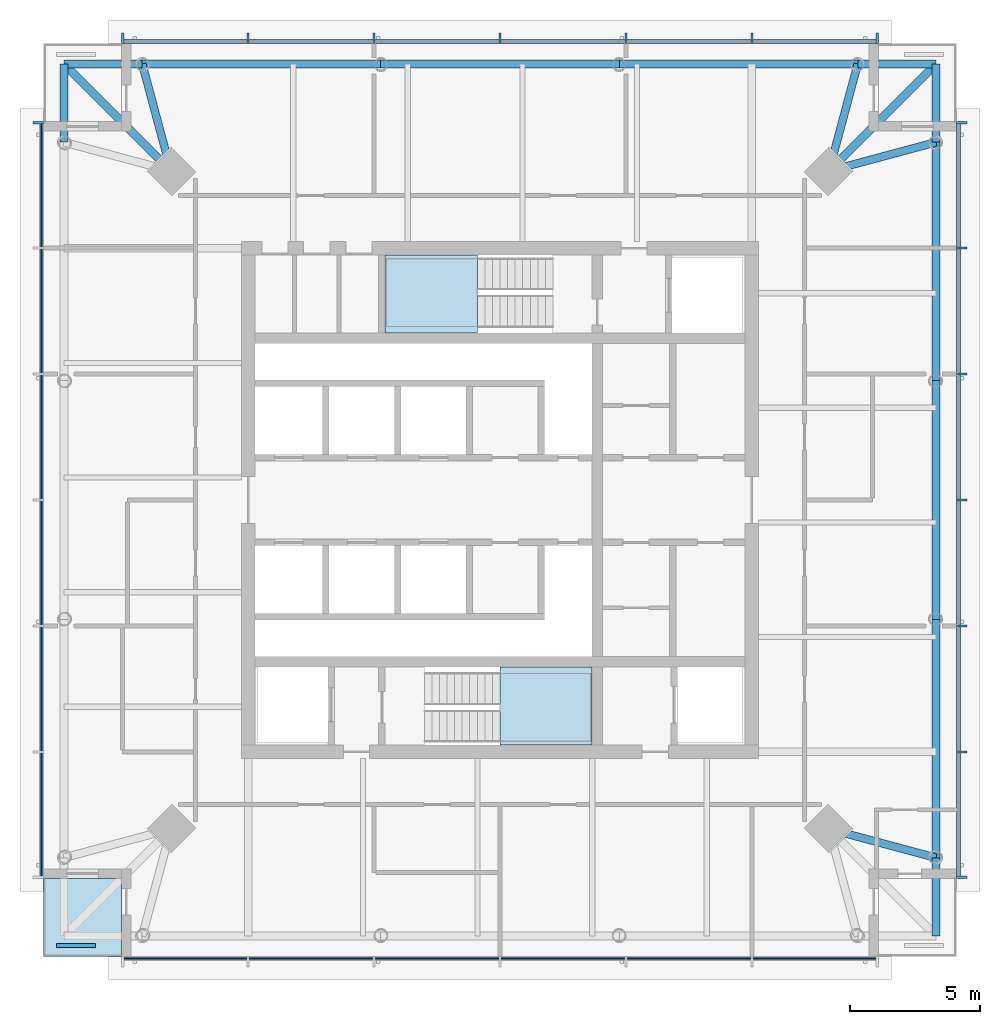
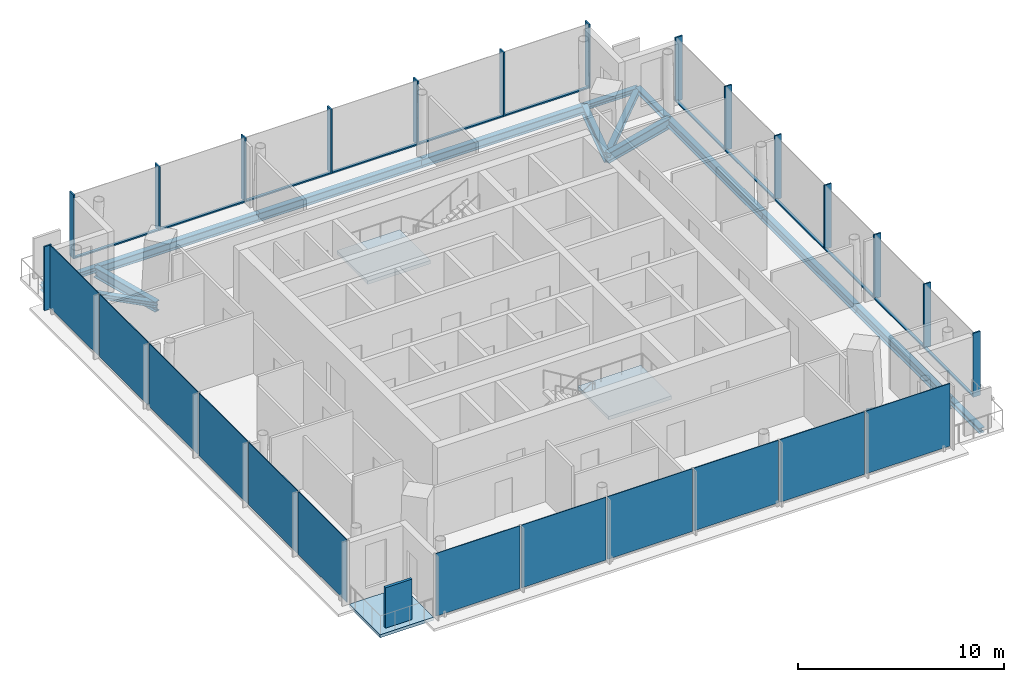
# One storey, part 2 of 11: 27 members, 17 beams, 13 plates, 3 slabs, 6 elements without a shape of their own.
"""IFC4 building model written with IfcOpenShell, lengths in metres."""

from ifc_helpers import new_model, si_unit, direction, frame, origin, origin_2d, place, context, subcontext, project, spatial, polyline, rectangle, i_section, outline, extrude, material, layer, layer_set, material_profile, profile_set, type_object, element, aggregate, save


model = new_model("IFC4")

# Units and contexts
model_context = context("Model", 3, precision=1e-05, world=origin(), true_north=direction((0.0, 1.0)))
body_context = subcontext(model_context, "Body", "Model", "MODEL_VIEW")
ifc_project = project(units=[si_unit("LENGTHUNIT", "METRE"), si_unit("AREAUNIT", "SQUARE_METRE"), si_unit("VOLUMEUNIT", "CUBIC_METRE"), si_unit("PLANEANGLEUNIT", "RADIAN"), si_unit("MASSUNIT", "GRAM", prefix="KILO")], contexts=[model_context])

# Site, building, storey
site_placement = place(None, origin())
site = spatial("IfcSite", under=ifc_project, at=site_placement, CompositionType="ELEMENT")
building_placement = place(site_placement, origin())
building = spatial("IfcBuilding", under=site, at=building_placement, Name="Ostroluk Exchange", CompositionType="ELEMENT")
storey_placement = place(building_placement, frame((0.0, 0.0, 249.0)))
storey = spatial("IfcBuildingStorey", under=building, at=storey_placement, Name="L64", CompositionType="ELEMENT", Elevation=249.0)

# Beams
ifc_material_1 = material(Name="Steel S355", Category="steel")
ifc_material_profile_1 = material_profile(ifc_material_1, i_section(OverallWidth=0.300048828125, OverallDepth=0.300048828125, WebThickness=0.010986328125, FlangeThickness=0.01904296875, FilletRadius=0.027099609375, at=origin_2d()), Name="HEB 300")
ifc_profile_set_1 = profile_set([ifc_material_profile_1], Name="Steel S355")
beam_type_1 = type_object("IfcBeamType", Name="Balcony beam HEB 300", PredefinedType="BEAM", material=ifc_profile_set_1)
for number, where, z_axis, x_axis, name in (
    (1, (61.71435546875, 59.71435546875, -0.330078125), (0.0, 1.0, 0.0), (-1.0, 0.0, 0.0), "T1 east balcony beam a"),
    (2, (58.71435546875, 62.71435546875, -0.330078125), (1.0, 0.0, 0.0), (0.0, 1.0, 0.0), "T1 east balcony beam b"),
):
    element("IfcBeam", number, at=place(storey_placement, frame(where, z_axis=z_axis, x_axis=x_axis)), inside=storey, type_object=beam_type_1, Name=name, PredefinedType="BEAM", context=body_context, shape_type="SweptSolid", body=[
        extrude(i_section(OverallWidth=0.300048828125, OverallDepth=0.300048828125, WebThickness=0.010986328125, FlangeThickness=0.01904296875, FilletRadius=0.027099609375, at=origin_2d()), origin(), (0.0, 0.0, 1.0), 3.0),
    ])
beam_1_placement = place(storey_placement, frame((57.6142578125, 58.6142578125, -0.330078125), z_axis=(0.707106781187, 0.707106781187, 0.0), x_axis=(-0.707106781187, 0.707106781187, 0.0)))
element("IfcBeam", 3, at=beam_1_placement, inside=storey, type_object=beam_type_1, Name="T1 east balcony beam c", PredefinedType="BEAM", context=body_context, shape_type="SweptSolid", body=[
    extrude(i_section(OverallWidth=0.300048828125, OverallDepth=0.300048828125, WebThickness=0.010986328125, FlangeThickness=0.01904296875, FilletRadius=0.027099609375, at=origin_2d()), origin(), (0.0, 0.0, 1.0), 5.79833984375),
])
for number, where, z_axis, x_axis, name in (
    (4, (31.28564453125, 62.71435546875, -0.330078125), (-1.0, 0.0, 0.0), (0.0, -1.0, 0.0), "T1 north balcony beam a"),
    (5, (28.28564453125, 59.71435546875, -0.330078125), (0.0, 1.0, 0.0), (-1.0, 0.0, 0.0), "T1 north balcony beam b"),
):
    element("IfcBeam", number, at=place(storey_placement, frame(where, z_axis=z_axis, x_axis=x_axis)), inside=storey, type_object=beam_type_1, Name=name, PredefinedType="BEAM", context=body_context, shape_type="SweptSolid", body=[
        extrude(i_section(OverallWidth=0.300048828125, OverallDepth=0.300048828125, WebThickness=0.010986328125, FlangeThickness=0.01904296875, FilletRadius=0.027099609375, at=origin_2d()), origin(), (0.0, 0.0, 1.0), 3.0),
    ])
beam_2_placement = place(storey_placement, frame((32.3857421875, 58.6142578125, -0.330078125), z_axis=(-0.707106781187, 0.707106781187, 0.0), x_axis=(-0.707106781187, -0.707106781187, 0.0)))
element("IfcBeam", 6, at=beam_2_placement, inside=storey, type_object=beam_type_1, Name="T1 north balcony beam c", PredefinedType="BEAM", context=body_context, shape_type="SweptSolid", body=[
    extrude(i_section(OverallWidth=0.300048828125, OverallDepth=0.300048828125, WebThickness=0.010986328125, FlangeThickness=0.01904296875, FilletRadius=0.027099609375, at=origin_2d()), origin(), (0.0, 0.0, 1.0), 5.79833984375),
])
beam_3_placement = place(storey_placement, frame((61.71435546875, 32.28564453125, -0.330078125), z_axis=(0.0, -1.0, 0.0), x_axis=(1.0, 0.0, 0.0)))
element("IfcBeam", 7, at=beam_3_placement, inside=storey, type_object=beam_type_1, Name="T1 south balcony beam b", PredefinedType="BEAM", context=body_context, shape_type="SweptSolid", body=[
    extrude(i_section(OverallWidth=0.300048828125, OverallDepth=0.300048828125, WebThickness=0.010986328125, FlangeThickness=0.01904296875, FilletRadius=0.027099609375, at=origin_2d()), origin(), (0.0, 0.0, 1.0), 3.0),
])
ifc_material_2 = material(Name="Steel S355", Category="steel")
ifc_material_profile_2 = material_profile(ifc_material_2, i_section(OverallWidth=0.300048828125, OverallDepth=0.60009765625, WebThickness=0.015380859375, FlangeThickness=0.030029296875, FilletRadius=0.027099609375, at=origin_2d()), Name="HEB 600")
ifc_profile_set_2 = profile_set([ifc_material_profile_2], Name="Steel S355")
beam_type_2 = type_object("IfcBeamType", Name="Corner edge beam HEB 600", PredefinedType="SPANDREL", material=ifc_profile_set_2)
for number, where, z_axis, x_axis, name in (
    (8, (57.6142578125, 58.6142578125, -0.47998046875), (0.965838624319, 0.259144268261, 0.0), (-0.259144268261, 0.965838624319, 0.0), "T1 east corner edge beam a"),
    (9, (57.6142578125, 58.6142578125, -0.47998046875), (0.259144268261, 0.965838624319, 0.0), (-0.965838624319, 0.259144268261, 0.0), "T1 east corner edge beam b"),
    (10, (32.3857421875, 58.6142578125, -0.47998046875), (-0.259144268261, 0.965838624319, 0.0), (-0.965838624319, -0.259144268261, 0.0), "T1 north corner edge beam a"),
    (11, (57.6142578125, 33.3857421875, -0.47998046875), (0.965838624319, -0.259144268261, 0.0), (0.259144268261, 0.965838624319, 0.0), "T1 south corner edge beam b"),
):
    element("IfcBeam", number, at=place(storey_placement, frame(where, z_axis=z_axis, x_axis=x_axis)), inside=storey, type_object=beam_type_2, Name=name, PredefinedType="SPANDREL", context=body_context, shape_type="SweptSolid", body=[
        extrude(i_section(OverallWidth=0.300048828125, OverallDepth=0.60009765625, WebThickness=0.015380859375, FlangeThickness=0.030029296875, FilletRadius=0.027099609375, at=origin_2d()), origin(), (0.0, 0.0, 1.0), 4.2451171875),
    ])
ifc_material_3 = material(Name="Steel S355", Category="steel")
ifc_material_profile_3 = material_profile(ifc_material_3, i_section(OverallWidth=0.300048828125, OverallDepth=0.5, WebThickness=0.014404296875, FlangeThickness=0.028076171875, FilletRadius=0.027099609375, at=origin_2d()), Name="HEB 500")
ifc_profile_set_3 = profile_set([ifc_material_profile_3], Name="Steel S355")
beam_type_3 = type_object("IfcBeamType", Name="Moment-connected edge beam HEB 500", PredefinedType="SPANDREL", material=ifc_profile_set_3)
beam_4_placement = place(storey_placement, frame((61.71435546875, 32.28564453125, -0.429931640625), z_axis=(0.0, 1.0, 0.0), x_axis=(-1.0, 0.0, 0.0)))
element("IfcBeam", 12, at=beam_4_placement, inside=storey, type_object=beam_type_3, Name="T1 east edge beam 1", PredefinedType="SPANDREL", context=body_context, shape_type="SweptSolid", body=[
    extrude(i_section(OverallWidth=0.300048828125, OverallDepth=0.5, WebThickness=0.014404296875, FlangeThickness=0.028076171875, FilletRadius=0.027099609375, at=origin_2d()), origin(), (0.0, 0.0, 1.0), 9.142822265625),
])
beam_5_placement = place(storey_placement, frame((61.71435546875, 41.428466796875, -0.429931640625), z_axis=(0.0, 1.0, 0.0), x_axis=(-1.0, 0.0, 0.0)))
element("IfcBeam", 13, at=beam_5_placement, inside=storey, type_object=beam_type_3, Name="T1 east edge beam 2", PredefinedType="SPANDREL", context=body_context, shape_type="SweptSolid", body=[
    extrude(i_section(OverallWidth=0.300048828125, OverallDepth=0.5, WebThickness=0.014404296875, FlangeThickness=0.028076171875, FilletRadius=0.027099609375, at=origin_2d()), origin(), (0.0, 0.0, 1.0), 9.14306640625),
])
for number, where, z_axis, x_axis, name in (
    (14, (61.71435546875, 50.571533203125, -0.429931640625), (0.0, 1.0, 0.0), (-1.0, 0.0, 0.0), "T1 east edge beam 3"),
    (15, (58.71435546875, 62.71435546875, -0.429931640625), (-1.0, 0.0, 0.0), (0.0, -1.0, 0.0), "T1 north edge beam 1"),
):
    element("IfcBeam", number, at=place(storey_placement, frame(where, z_axis=z_axis, x_axis=x_axis)), inside=storey, type_object=beam_type_3, Name=name, PredefinedType="SPANDREL", context=body_context, shape_type="SweptSolid", body=[
        extrude(i_section(OverallWidth=0.300048828125, OverallDepth=0.5, WebThickness=0.014404296875, FlangeThickness=0.028076171875, FilletRadius=0.027099609375, at=origin_2d()), origin(), (0.0, 0.0, 1.0), 9.142822265625),
    ])
beam_6_placement = place(storey_placement, frame((49.571533203125, 62.71435546875, -0.429931640625), z_axis=(-1.0, 0.0, 0.0), x_axis=(0.0, -1.0, 0.0)))
element("IfcBeam", 16, at=beam_6_placement, inside=storey, type_object=beam_type_3, Name="T1 north edge beam 2", PredefinedType="SPANDREL", context=body_context, shape_type="SweptSolid", body=[
    extrude(i_section(OverallWidth=0.300048828125, OverallDepth=0.5, WebThickness=0.014404296875, FlangeThickness=0.028076171875, FilletRadius=0.027099609375, at=origin_2d()), origin(), (0.0, 0.0, 1.0), 9.14306640625),
])
beam_7_placement = place(storey_placement, frame((40.428466796875, 62.71435546875, -0.429931640625), z_axis=(-1.0, 0.0, 0.0), x_axis=(0.0, -1.0, 0.0)))
element("IfcBeam", 17, at=beam_7_placement, inside=storey, type_object=beam_type_3, Name="T1 north edge beam 3", PredefinedType="SPANDREL", context=body_context, shape_type="SweptSolid", body=[
    extrude(i_section(OverallWidth=0.300048828125, OverallDepth=0.5, WebThickness=0.014404296875, FlangeThickness=0.028076171875, FilletRadius=0.027099609375, at=origin_2d()), origin(), (0.0, 0.0, 1.0), 9.142822265625),
])

# Curtain wall, members
ifc_material_4 = material(Name="Laminated clear glass", Category="glass")
curtain_wall_type = type_object("IfcCurtainWallType", Name="Office tower facade", PredefinedType="USERDEFINED", material=ifc_material_4)
curtain_wall_1_placement = place(storey_placement, origin())
curtain_wall_1 = element("IfcCurtainWall", 18, at=curtain_wall_1_placement, inside=storey, type_object=curtain_wall_type, Name="Office tower east facade L64", ObjectType="UNITISED CURTAIN WALL", PredefinedType="USERDEFINED")
ifc_material_5 = material(Name="Aluminium mullion", Category="aluminium")
ifc_material_profile_4 = material_profile(ifc_material_5, rectangle(XDim=0.14990234375, YDim=0.080078125, at=origin_2d()), Name="Sill transom 80 x 150")
ifc_profile_set_4 = profile_set([ifc_material_profile_4], Name="Aluminium mullion")
member_type_1 = type_object("IfcMemberType", Name="Sill transom 80 x 150", PredefinedType="USERDEFINED", material=ifc_profile_set_4)
member_1_placement = place(storey_placement, frame((62.574951171875, 31.580078125, 0.0400390625), z_axis=(0.0, 1.0, 0.0), x_axis=(-1.0, 0.0, 0.0)))
member_1 = element("IfcMember", 19, at=member_1_placement, type_object=member_type_1, Name="CW-O1 transom 1.1", ObjectType="TRANSOM", PredefinedType="USERDEFINED", context=body_context, shape_type="SweptSolid", body=[
    extrude(rectangle(XDim=0.14990234375, YDim=0.080078125, at=origin_2d()), origin(), (0.0, 0.0, 1.0), 4.713134765625),
])
member_2_placement = place(storey_placement, frame((62.574951171875, 36.373291015625, 0.0400390625), z_axis=(0.0, 1.0, 0.0), x_axis=(-1.0, 0.0, 0.0)))
member_2 = element("IfcMember", 20, at=member_2_placement, type_object=member_type_1, Name="CW-O1 transom 2.1", ObjectType="TRANSOM", PredefinedType="USERDEFINED", context=body_context, shape_type="SweptSolid", body=[
    extrude(rectangle(XDim=0.14990234375, YDim=0.080078125, at=origin_2d()), origin(), (0.0, 0.0, 1.0), 4.75341796875),
])
member_3_placement = place(storey_placement, frame((62.574951171875, 41.206787109375, 0.0400390625), z_axis=(0.0, 1.0, 0.0), x_axis=(-1.0, 0.0, 0.0)))
member_3 = element("IfcMember", 21, at=member_3_placement, type_object=member_type_1, Name="CW-O1 transom 3.1", ObjectType="TRANSOM", PredefinedType="USERDEFINED", context=body_context, shape_type="SweptSolid", body=[
    extrude(rectangle(XDim=0.14990234375, YDim=0.080078125, at=origin_2d()), origin(), (0.0, 0.0, 1.0), 4.753173828125),
])
member_4_placement = place(storey_placement, frame((62.574951171875, 46.0400390625, 0.0400390625), z_axis=(0.0, 1.0, 0.0), x_axis=(-1.0, 0.0, 0.0)))
member_4 = element("IfcMember", 22, at=member_4_placement, type_object=member_type_1, Name="CW-O1 transom 4.1", ObjectType="TRANSOM", PredefinedType="USERDEFINED", context=body_context, shape_type="SweptSolid", body=[
    extrude(rectangle(XDim=0.14990234375, YDim=0.080078125, at=origin_2d()), origin(), (0.0, 0.0, 1.0), 4.753173828125),
])
member_5_placement = place(storey_placement, frame((62.574951171875, 50.873291015625, 0.0400390625), z_axis=(0.0, 1.0, 0.0), x_axis=(-1.0, 0.0, 0.0)))
member_5 = element("IfcMember", 23, at=member_5_placement, type_object=member_type_1, Name="CW-O1 transom 5.1", ObjectType="TRANSOM", PredefinedType="USERDEFINED", context=body_context, shape_type="SweptSolid", body=[
    extrude(rectangle(XDim=0.14990234375, YDim=0.080078125, at=origin_2d()), origin(), (0.0, 0.0, 1.0), 4.75341796875),
])
member_6_placement = place(storey_placement, frame((62.574951171875, 55.706787109375, 0.0400390625), z_axis=(0.0, 1.0, 0.0), x_axis=(-1.0, 0.0, 0.0)))
member_6 = element("IfcMember", 24, at=member_6_placement, type_object=member_type_1, Name="CW-O1 transom 6.1", ObjectType="TRANSOM", PredefinedType="USERDEFINED", context=body_context, shape_type="SweptSolid", body=[
    extrude(rectangle(XDim=0.14990234375, YDim=0.080078125, at=origin_2d()), origin(), (0.0, 0.0, 1.0), 4.713134765625),
])

curtain_wall_2_placement = place(storey_placement, origin())
curtain_wall_2 = element("IfcCurtainWall", 25, at=curtain_wall_2_placement, inside=storey, type_object=curtain_wall_type, Name="Office tower north facade L64", ObjectType="UNITISED CURTAIN WALL", PredefinedType="USERDEFINED")
member_7_placement = place(storey_placement, frame((59.419921875, 63.574951171875, 0.0400390625), z_axis=(-1.0, 0.0, 0.0), x_axis=(0.0, -1.0, 0.0)))
member_7 = element("IfcMember", 26, at=member_7_placement, type_object=member_type_1, Name="CW-O1 transom 1.1", ObjectType="TRANSOM", PredefinedType="USERDEFINED", context=body_context, shape_type="SweptSolid", body=[
    extrude(rectangle(XDim=0.14990234375, YDim=0.080078125, at=origin_2d()), origin(), (0.0, 0.0, 1.0), 4.713134765625),
])
member_8_placement = place(storey_placement, frame((54.626708984375, 63.574951171875, 0.0400390625), z_axis=(-1.0, 0.0, 0.0), x_axis=(0.0, -1.0, 0.0)))
member_8 = element("IfcMember", 27, at=member_8_placement, type_object=member_type_1, Name="CW-O1 transom 2.1", ObjectType="TRANSOM", PredefinedType="USERDEFINED", context=body_context, shape_type="SweptSolid", body=[
    extrude(rectangle(XDim=0.14990234375, YDim=0.080078125, at=origin_2d()), origin(), (0.0, 0.0, 1.0), 4.75341796875),
])
member_9_placement = place(storey_placement, frame((49.793212890625, 63.574951171875, 0.0400390625), z_axis=(-1.0, 0.0, 0.0), x_axis=(0.0, -1.0, 0.0)))
member_9 = element("IfcMember", 28, at=member_9_placement, type_object=member_type_1, Name="CW-O1 transom 3.1", ObjectType="TRANSOM", PredefinedType="USERDEFINED", context=body_context, shape_type="SweptSolid", body=[
    extrude(rectangle(XDim=0.14990234375, YDim=0.080078125, at=origin_2d()), origin(), (0.0, 0.0, 1.0), 4.753173828125),
])
member_10_placement = place(storey_placement, frame((44.9599609375, 63.574951171875, 0.0400390625), z_axis=(-1.0, 0.0, 0.0), x_axis=(0.0, -1.0, 0.0)))
member_10 = element("IfcMember", 29, at=member_10_placement, type_object=member_type_1, Name="CW-O1 transom 4.1", ObjectType="TRANSOM", PredefinedType="USERDEFINED", context=body_context, shape_type="SweptSolid", body=[
    extrude(rectangle(XDim=0.14990234375, YDim=0.080078125, at=origin_2d()), origin(), (0.0, 0.0, 1.0), 4.753173828125),
])
member_11_placement = place(storey_placement, frame((40.126708984375, 63.574951171875, 0.0400390625), z_axis=(-1.0, 0.0, 0.0), x_axis=(0.0, -1.0, 0.0)))
member_11 = element("IfcMember", 30, at=member_11_placement, type_object=member_type_1, Name="CW-O1 transom 5.1", ObjectType="TRANSOM", PredefinedType="USERDEFINED", context=body_context, shape_type="SweptSolid", body=[
    extrude(rectangle(XDim=0.14990234375, YDim=0.080078125, at=origin_2d()), origin(), (0.0, 0.0, 1.0), 4.75341796875),
])
member_12_placement = place(storey_placement, frame((35.293212890625, 63.574951171875, 0.0400390625), z_axis=(-1.0, 0.0, 0.0), x_axis=(0.0, -1.0, 0.0)))
member_12 = element("IfcMember", 31, at=member_12_placement, type_object=member_type_1, Name="CW-O1 transom 6.1", ObjectType="TRANSOM", PredefinedType="USERDEFINED", context=body_context, shape_type="SweptSolid", body=[
    extrude(rectangle(XDim=0.14990234375, YDim=0.080078125, at=origin_2d()), origin(), (0.0, 0.0, 1.0), 4.713134765625),
])

# Member
ifc_material_6 = material(Name="Aluminium mullion with limestone facing", Category="masonry")
ifc_material_profile_5 = material_profile(ifc_material_6, rectangle(XDim=0.39990234375, YDim=0.080078125, at=origin_2d()), Name="Tracery mullion 80 x 400")
ifc_profile_set_5 = profile_set([ifc_material_profile_5], Name="Aluminium mullion with limestone facing")
member_type_2 = type_object("IfcMemberType", Name="Tracery mullion 80 x 400", PredefinedType="MULLION", material=ifc_profile_set_5)
member_13_placement = place(storey_placement, frame((62.699951171875, 31.5400390625, 0.0), z_axis=(0.0, 0.0, 1.0), x_axis=(-1.0, 0.0, 0.0)))
member_13 = element("IfcMember", 32, at=member_13_placement, type_object=member_type_2, Name="CW-O1 mullion 1", PredefinedType="MULLION", context=body_context, shape_type="SweptSolid", body=[
    extrude(rectangle(XDim=0.39990234375, YDim=0.080078125, at=origin_2d()), origin(), (0.0, 0.0, 1.0), 3.800048828125),
])

member_14_placement = place(storey_placement, frame((62.699951171875, 36.333251953125, 0.0), z_axis=(0.0, 0.0, 1.0), x_axis=(-1.0, 0.0, 0.0)))
member_14 = element("IfcMember", 33, at=member_14_placement, type_object=member_type_2, Name="CW-O1 mullion 2", PredefinedType="MULLION", context=body_context, shape_type="SweptSolid", body=[
    extrude(rectangle(XDim=0.39990234375, YDim=0.080078125, at=origin_2d()), origin(), (0.0, 0.0, 1.0), 3.800048828125),
])

member_15_placement = place(storey_placement, frame((62.699951171875, 41.166748046875, 0.0), z_axis=(0.0, 0.0, 1.0), x_axis=(-1.0, 0.0, 0.0)))
member_15 = element("IfcMember", 34, at=member_15_placement, type_object=member_type_2, Name="CW-O1 mullion 3", PredefinedType="MULLION", context=body_context, shape_type="SweptSolid", body=[
    extrude(rectangle(XDim=0.39990234375, YDim=0.080078125, at=origin_2d()), origin(), (0.0, 0.0, 1.0), 3.800048828125),
])

member_16_placement = place(storey_placement, frame((62.699951171875, 46.0, 0.0), z_axis=(0.0, 0.0, 1.0), x_axis=(-1.0, 0.0, 0.0)))
member_16 = element("IfcMember", 35, at=member_16_placement, type_object=member_type_2, Name="CW-O1 mullion 4", PredefinedType="MULLION", context=body_context, shape_type="SweptSolid", body=[
    extrude(rectangle(XDim=0.39990234375, YDim=0.080078125, at=origin_2d()), origin(), (0.0, 0.0, 1.0), 3.800048828125),
])

member_17_placement = place(storey_placement, frame((62.699951171875, 50.833251953125, 0.0), z_axis=(0.0, 0.0, 1.0), x_axis=(-1.0, 0.0, 0.0)))
member_17 = element("IfcMember", 36, at=member_17_placement, type_object=member_type_2, Name="CW-O1 mullion 5", PredefinedType="MULLION", context=body_context, shape_type="SweptSolid", body=[
    extrude(rectangle(XDim=0.39990234375, YDim=0.080078125, at=origin_2d()), origin(), (0.0, 0.0, 1.0), 3.800048828125),
])

member_18_placement = place(storey_placement, frame((62.699951171875, 55.666748046875, 0.0), z_axis=(0.0, 0.0, 1.0), x_axis=(-1.0, 0.0, 0.0)))
member_18 = element("IfcMember", 37, at=member_18_placement, type_object=member_type_2, Name="CW-O1 mullion 6", PredefinedType="MULLION", context=body_context, shape_type="SweptSolid", body=[
    extrude(rectangle(XDim=0.39990234375, YDim=0.080078125, at=origin_2d()), origin(), (0.0, 0.0, 1.0), 3.800048828125),
])

member_19_placement = place(storey_placement, frame((62.699951171875, 60.4599609375, 0.0), z_axis=(0.0, 0.0, 1.0), x_axis=(-1.0, 0.0, 0.0)))
member_19 = element("IfcMember", 38, at=member_19_placement, type_object=member_type_2, Name="CW-O1 mullion 7", PredefinedType="MULLION", context=body_context, shape_type="SweptSolid", body=[
    extrude(rectangle(XDim=0.39990234375, YDim=0.080078125, at=origin_2d()), origin(), (0.0, 0.0, 1.0), 3.800048828125),
])

aggregate(curtain_wall_1, [member_13, member_14, member_15, member_16, member_17, member_18, member_19, member_1, member_2, member_3, member_4, member_5, member_6])

member_20_placement = place(storey_placement, frame((59.4599609375, 63.699951171875, 0.0), z_axis=(0.0, 0.0, 1.0), x_axis=(0.0, -1.0, 0.0)))
member_20 = element("IfcMember", 39, at=member_20_placement, type_object=member_type_2, Name="CW-O1 mullion 1", PredefinedType="MULLION", context=body_context, shape_type="SweptSolid", body=[
    extrude(rectangle(XDim=0.39990234375, YDim=0.080078125, at=origin_2d()), origin(), (0.0, 0.0, 1.0), 3.800048828125),
])

member_21_placement = place(storey_placement, frame((54.666748046875, 63.699951171875, 0.0), z_axis=(0.0, 0.0, 1.0), x_axis=(0.0, -1.0, 0.0)))
member_21 = element("IfcMember", 40, at=member_21_placement, type_object=member_type_2, Name="CW-O1 mullion 2", PredefinedType="MULLION", context=body_context, shape_type="SweptSolid", body=[
    extrude(rectangle(XDim=0.39990234375, YDim=0.080078125, at=origin_2d()), origin(), (0.0, 0.0, 1.0), 3.800048828125),
])

member_22_placement = place(storey_placement, frame((49.833251953125, 63.699951171875, 0.0), z_axis=(0.0, 0.0, 1.0), x_axis=(0.0, -1.0, 0.0)))
member_22 = element("IfcMember", 41, at=member_22_placement, type_object=member_type_2, Name="CW-O1 mullion 3", PredefinedType="MULLION", context=body_context, shape_type="SweptSolid", body=[
    extrude(rectangle(XDim=0.39990234375, YDim=0.080078125, at=origin_2d()), origin(), (0.0, 0.0, 1.0), 3.800048828125),
])

member_23_placement = place(storey_placement, frame((45.0, 63.699951171875, 0.0), z_axis=(0.0, 0.0, 1.0), x_axis=(0.0, -1.0, 0.0)))
member_23 = element("IfcMember", 42, at=member_23_placement, type_object=member_type_2, Name="CW-O1 mullion 4", PredefinedType="MULLION", context=body_context, shape_type="SweptSolid", body=[
    extrude(rectangle(XDim=0.39990234375, YDim=0.080078125, at=origin_2d()), origin(), (0.0, 0.0, 1.0), 3.800048828125),
])

member_24_placement = place(storey_placement, frame((40.166748046875, 63.699951171875, 0.0), z_axis=(0.0, 0.0, 1.0), x_axis=(0.0, -1.0, 0.0)))
member_24 = element("IfcMember", 43, at=member_24_placement, type_object=member_type_2, Name="CW-O1 mullion 5", PredefinedType="MULLION", context=body_context, shape_type="SweptSolid", body=[
    extrude(rectangle(XDim=0.39990234375, YDim=0.080078125, at=origin_2d()), origin(), (0.0, 0.0, 1.0), 3.800048828125),
])

member_25_placement = place(storey_placement, frame((35.333251953125, 63.699951171875, 0.0), z_axis=(0.0, 0.0, 1.0), x_axis=(0.0, -1.0, 0.0)))
member_25 = element("IfcMember", 44, at=member_25_placement, type_object=member_type_2, Name="CW-O1 mullion 6", PredefinedType="MULLION", context=body_context, shape_type="SweptSolid", body=[
    extrude(rectangle(XDim=0.39990234375, YDim=0.080078125, at=origin_2d()), origin(), (0.0, 0.0, 1.0), 3.800048828125),
])

member_26_placement = place(storey_placement, frame((30.5400390625, 63.699951171875, 0.0), z_axis=(0.0, 0.0, 1.0), x_axis=(0.0, -1.0, 0.0)))
member_26 = element("IfcMember", 45, at=member_26_placement, type_object=member_type_2, Name="CW-O1 mullion 7", PredefinedType="MULLION", context=body_context, shape_type="SweptSolid", body=[
    extrude(rectangle(XDim=0.39990234375, YDim=0.080078125, at=origin_2d()), origin(), (0.0, 0.0, 1.0), 3.800048828125),
])

aggregate(curtain_wall_2, [member_20, member_21, member_22, member_23, member_24, member_25, member_26, member_7, member_8, member_9, member_10, member_11, member_12])

# Curtain wall, member
curtain_wall_3_placement = place(storey_placement, origin())
curtain_wall_3 = element("IfcCurtainWall", 46, at=curtain_wall_3_placement, inside=storey, type_object=curtain_wall_type, Name="Office tower west facade L64", ObjectType="UNITISED CURTAIN WALL", PredefinedType="USERDEFINED")
member_27_placement = place(storey_placement, frame((27.300048828125, 60.4599609375, 0.0), z_axis=(0.0, 0.0, 1.0), x_axis=(1.0, 0.0, 0.0)))
member_27 = element("IfcMember", 47, at=member_27_placement, type_object=member_type_2, Name="CW-O1 mullion 1", PredefinedType="MULLION", context=body_context, shape_type="SweptSolid", body=[
    extrude(rectangle(XDim=0.39990234375, YDim=0.080078125, at=origin_2d()), origin(), (0.0, 0.0, 1.0), 3.800048828125),
])

# Slab
ifc_material_7 = material(Name="Concrete C35/45", Category="concrete")
ifc_layer_1 = layer(ifc_material_7, 0.179931640625)
ifc_layer_set_1 = layer_set([ifc_layer_1], Name="Balcony slab 180")
slab_type_1 = type_object("IfcSlabType", Name="Balcony slab 180", PredefinedType="USERDEFINED", material=ifc_layer_set_1)
slab_1_placement = place(storey_placement, frame((0.0, 0.0, -0.179931640625)))
element("IfcSlab", 48, at=slab_1_placement, inside=storey, type_object=slab_type_1, Name="Office tower SW corner balcony L64", ObjectType="BALCONY", PredefinedType="USERDEFINED", context=body_context, shape_type="SweptSolid", body=[
    extrude(outline(polyline([(27.5, 28.5), (30.5, 28.5), (30.5, 31.5), (27.5, 31.5), (27.5, 28.5)])), origin(), (0.0, 0.0, 1.0), 0.179931640625),
])

# Plate
ifc_material_8 = material(Name="Steel S355 trellis with planting", Category="steel")
ifc_layer_2 = layer(ifc_material_8, 0.14990234375)
ifc_layer_set_2 = layer_set([ifc_layer_2], Name="Planted screen 150")
plate_type_1 = type_object("IfcPlateType", Name="Planted screen 150", PredefinedType="USERDEFINED", material=ifc_layer_set_2)
plate_1_placement = place(storey_placement, frame((28.75, 28.925048828125, 0.0), z_axis=(0.0, 0.0, 1.0), x_axis=(1.0, 0.0, 0.0)))
element("IfcPlate", 49, at=plate_1_placement, inside=storey, type_object=plate_type_1, Name="Office tower SW planted screen L64", ObjectType="PLANTED SCREEN", PredefinedType="USERDEFINED", context=body_context, shape_type="SweptSolid", body=[
    extrude(rectangle(XDim=1.5, YDim=0.14990234375, at=origin_2d()), origin(), (0.0, 0.0, 1.0), 2.39990234375),
])

# Stair, slab
ifc_material_9 = material(Name="Concrete C30/37", Category="concrete")
stair_type = type_object("IfcStairType", Name="Exit stair half turn 3800", PredefinedType="HALF_TURN_STAIR", material=ifc_material_9)
stair_1_placement = place(storey_placement, origin())
stair_1 = element("IfcStair", 50, at=stair_1_placement, inside=storey, type_object=stair_type, Name="Stair T1-S1 L64", PredefinedType="HALF_TURN_STAIR")
ifc_material_10 = material(Name="Concrete C30/37", Category="concrete")
ifc_layer_3 = layer(ifc_material_10, 0.199951171875)
ifc_layer_set_3 = layer_set([ifc_layer_3], Name="Stair landing 200")
slab_type_2 = type_object("IfcSlabType", Name="Stair landing 200", PredefinedType="LANDING", material=ifc_layer_set_3)
slab_2_placement = place(storey_placement, frame((0.0, 0.0, 1.699951171875)))
slab_2 = element("IfcSlab", 51, at=slab_2_placement, type_object=slab_type_2, Name="T1-S1 landing 1", PredefinedType="LANDING", context=body_context, shape_type="SweptSolid", body=[
    extrude(outline(polyline([(45.0, 36.60009765625), (45.0, 39.60009765625), (48.530029296875, 39.60009765625), (48.530029296875, 36.60009765625), (45.0, 36.60009765625)])), origin(), (0.0, 0.0, 1.0), 0.199951171875),
])
aggregate(stair_1, [slab_2])

stair_2_placement = place(storey_placement, origin())
stair_2 = element("IfcStair", 52, at=stair_2_placement, inside=storey, type_object=stair_type, Name="Stair T1-S2 L64", PredefinedType="HALF_TURN_STAIR")
slab_3_placement = place(storey_placement, frame((0.0, 0.0, 1.699951171875)))
slab_3 = element("IfcSlab", 53, at=slab_3_placement, type_object=slab_type_2, Name="T1-S2 landing 1", PredefinedType="LANDING", context=body_context, shape_type="SweptSolid", body=[
    extrude(outline(polyline([(44.1298828125, 52.39990234375), (44.1298828125, 55.39990234375), (40.60009765625, 55.39990234375), (40.60009765625, 52.39990234375), (44.1298828125, 52.39990234375)])), origin(), (0.0, 0.0, 1.0), 0.199951171875),
])
aggregate(stair_2, [slab_3])

# Curtain wall, plates
curtain_wall_4_placement = place(storey_placement, origin())
curtain_wall_4 = element("IfcCurtainWall", 54, at=curtain_wall_4_placement, inside=storey, type_object=curtain_wall_type, Name="Office tower south facade L64", ObjectType="UNITISED CURTAIN WALL", PredefinedType="USERDEFINED")
ifc_material_11 = material(Name="Laminated clear glass", Category="glass")
ifc_layer_4 = layer(ifc_material_11, 0.0439453125)
ifc_layer_set_4 = layer_set([ifc_layer_4], Name="Triple laminated clear glazing 44")
plate_type_2 = type_object("IfcPlateType", Name="Triple laminated clear glazing 44", PredefinedType="CURTAIN_PANEL", material=ifc_layer_set_4)
plate_2_placement = place(storey_placement, frame((32.936767578125, 28.425048828125, 0.080078125), z_axis=(0.0, 0.0, 1.0), x_axis=(1.0, 0.0, 0.0)))
plate_2 = element("IfcPlate", 55, at=plate_2_placement, type_object=plate_type_2, Name="CW-O1 panel 1.1", PredefinedType="CURTAIN_PANEL", context=body_context, shape_type="SweptSolid", body=[
    extrude(rectangle(XDim=4.71337890625, YDim=0.0439453125, at=origin_2d()), origin(), (0.0, 0.0, 1.0), 3.719970703125),
])
plate_3_placement = place(storey_placement, frame((37.75, 28.425048828125, 0.080078125), z_axis=(0.0, 0.0, 1.0), x_axis=(1.0, 0.0, 0.0)))
plate_3 = element("IfcPlate", 56, at=plate_3_placement, type_object=plate_type_2, Name="CW-O1 panel 2.1", PredefinedType="CURTAIN_PANEL", context=body_context, shape_type="SweptSolid", body=[
    extrude(rectangle(XDim=4.75341796875, YDim=0.0439453125, at=origin_2d()), origin(), (0.0, 0.0, 1.0), 3.719970703125),
])
plate_4_placement = place(storey_placement, frame((42.583251953125, 28.425048828125, 0.080078125), z_axis=(0.0, 0.0, 1.0), x_axis=(1.0, 0.0, 0.0)))
plate_4 = element("IfcPlate", 57, at=plate_4_placement, type_object=plate_type_2, Name="CW-O1 panel 3.1", PredefinedType="CURTAIN_PANEL", context=body_context, shape_type="SweptSolid", body=[
    extrude(rectangle(XDim=4.75341796875, YDim=0.0439453125, at=origin_2d()), origin(), (0.0, 0.0, 1.0), 3.719970703125),
])
plate_5_placement = place(storey_placement, frame((47.416748046875, 28.425048828125, 0.080078125), z_axis=(0.0, 0.0, 1.0), x_axis=(1.0, 0.0, 0.0)))
plate_5 = element("IfcPlate", 58, at=plate_5_placement, type_object=plate_type_2, Name="CW-O1 panel 4.1", PredefinedType="CURTAIN_PANEL", context=body_context, shape_type="SweptSolid", body=[
    extrude(rectangle(XDim=4.75341796875, YDim=0.0439453125, at=origin_2d()), origin(), (0.0, 0.0, 1.0), 3.719970703125),
])
plate_6_placement = place(storey_placement, frame((52.25, 28.425048828125, 0.080078125), z_axis=(0.0, 0.0, 1.0), x_axis=(1.0, 0.0, 0.0)))
plate_6 = element("IfcPlate", 59, at=plate_6_placement, type_object=plate_type_2, Name="CW-O1 panel 5.1", PredefinedType="CURTAIN_PANEL", context=body_context, shape_type="SweptSolid", body=[
    extrude(rectangle(XDim=4.75341796875, YDim=0.0439453125, at=origin_2d()), origin(), (0.0, 0.0, 1.0), 3.719970703125),
])
plate_7_placement = place(storey_placement, frame((57.063232421875, 28.425048828125, 0.080078125), z_axis=(0.0, 0.0, 1.0), x_axis=(1.0, 0.0, 0.0)))
plate_7 = element("IfcPlate", 60, at=plate_7_placement, type_object=plate_type_2, Name="CW-O1 panel 6.1", PredefinedType="CURTAIN_PANEL", context=body_context, shape_type="SweptSolid", body=[
    extrude(rectangle(XDim=4.71337890625, YDim=0.0439453125, at=origin_2d()), origin(), (0.0, 0.0, 1.0), 3.719970703125),
])
aggregate(curtain_wall_4, [plate_2, plate_3, plate_4, plate_5, plate_6, plate_7])

# Plate
plate_8_placement = place(storey_placement, frame((27.425048828125, 58.063232421875, 0.080078125), z_axis=(0.0, 0.0, 1.0), x_axis=(0.0, -1.0, 0.0)))
plate_8 = element("IfcPlate", 61, at=plate_8_placement, type_object=plate_type_2, Name="CW-O1 panel 1.1", PredefinedType="CURTAIN_PANEL", context=body_context, shape_type="SweptSolid", body=[
    extrude(rectangle(XDim=4.71337890625, YDim=0.0439453125, at=origin_2d()), origin(), (0.0, 0.0, 1.0), 3.719970703125),
])

plate_9_placement = place(storey_placement, frame((27.425048828125, 53.25, 0.080078125), z_axis=(0.0, 0.0, 1.0), x_axis=(0.0, -1.0, 0.0)))
plate_9 = element("IfcPlate", 62, at=plate_9_placement, type_object=plate_type_2, Name="CW-O1 panel 2.1", PredefinedType="CURTAIN_PANEL", context=body_context, shape_type="SweptSolid", body=[
    extrude(rectangle(XDim=4.75341796875, YDim=0.0439453125, at=origin_2d()), origin(), (0.0, 0.0, 1.0), 3.719970703125),
])

plate_10_placement = place(storey_placement, frame((27.425048828125, 48.416748046875, 0.080078125), z_axis=(0.0, 0.0, 1.0), x_axis=(0.0, -1.0, 0.0)))
plate_10 = element("IfcPlate", 63, at=plate_10_placement, type_object=plate_type_2, Name="CW-O1 panel 3.1", PredefinedType="CURTAIN_PANEL", context=body_context, shape_type="SweptSolid", body=[
    extrude(rectangle(XDim=4.75341796875, YDim=0.0439453125, at=origin_2d()), origin(), (0.0, 0.0, 1.0), 3.719970703125),
])

plate_11_placement = place(storey_placement, frame((27.425048828125, 43.583251953125, 0.080078125), z_axis=(0.0, 0.0, 1.0), x_axis=(0.0, -1.0, 0.0)))
plate_11 = element("IfcPlate", 64, at=plate_11_placement, type_object=plate_type_2, Name="CW-O1 panel 4.1", PredefinedType="CURTAIN_PANEL", context=body_context, shape_type="SweptSolid", body=[
    extrude(rectangle(XDim=4.75341796875, YDim=0.0439453125, at=origin_2d()), origin(), (0.0, 0.0, 1.0), 3.719970703125),
])

plate_12_placement = place(storey_placement, frame((27.425048828125, 38.75, 0.080078125), z_axis=(0.0, 0.0, 1.0), x_axis=(0.0, -1.0, 0.0)))
plate_12 = element("IfcPlate", 65, at=plate_12_placement, type_object=plate_type_2, Name="CW-O1 panel 5.1", PredefinedType="CURTAIN_PANEL", context=body_context, shape_type="SweptSolid", body=[
    extrude(rectangle(XDim=4.75341796875, YDim=0.0439453125, at=origin_2d()), origin(), (0.0, 0.0, 1.0), 3.719970703125),
])

plate_13_placement = place(storey_placement, frame((27.425048828125, 33.936767578125, 0.080078125), z_axis=(0.0, 0.0, 1.0), x_axis=(0.0, -1.0, 0.0)))
plate_13 = element("IfcPlate", 66, at=plate_13_placement, type_object=plate_type_2, Name="CW-O1 panel 6.1", PredefinedType="CURTAIN_PANEL", context=body_context, shape_type="SweptSolid", body=[
    extrude(rectangle(XDim=4.71337890625, YDim=0.0439453125, at=origin_2d()), origin(), (0.0, 0.0, 1.0), 3.719970703125),
])

aggregate(curtain_wall_3, [member_27, plate_8, plate_9, plate_10, plate_11, plate_12, plate_13])

save(model, "model.ifc")
